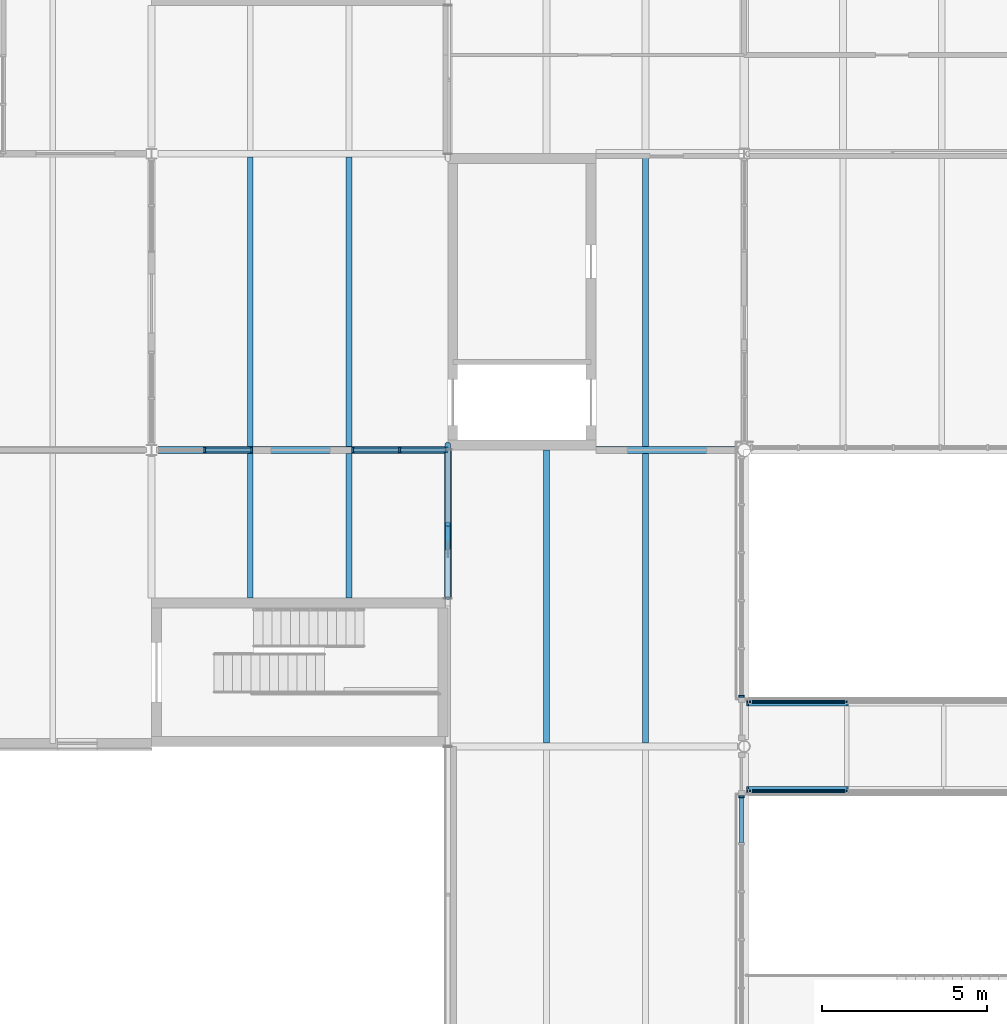
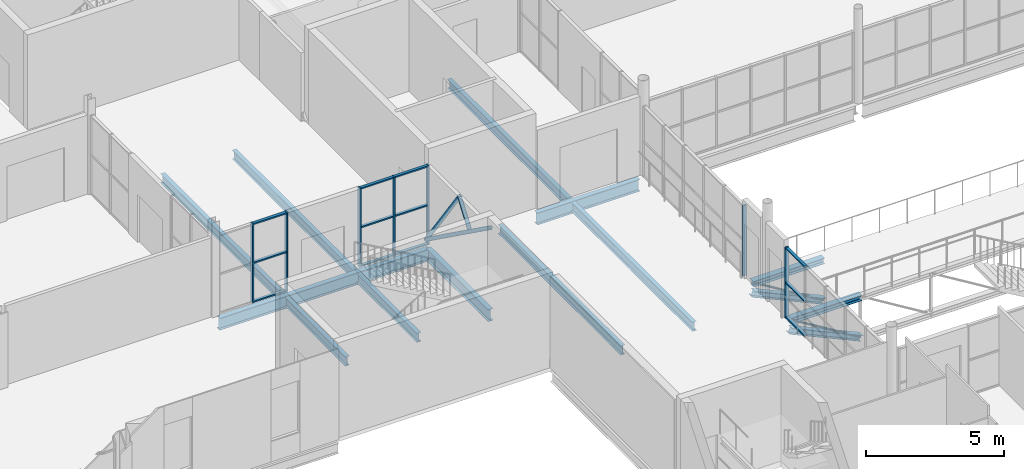
# One storey, part 20 of 61: 28 members, 10 beams, 4 elements without a shape of their own.
"""IFC4 building model written with IfcOpenShell, lengths in metres."""

from ifc_helpers import new_model, si_unit, direction, frame, origin, origin_2d, place, context, subcontext, project, spatial, rectangle, hollow_circle, i_section, extrude, material, layer, layer_set, material_profile, profile_set, type_object, element, aggregate, save


model = new_model("IFC4")

# Units and contexts
model_context = context("Model", 3, precision=1e-05, world=origin(), true_north=direction((0.0, 1.0)))
body_context = subcontext(model_context, "Body", "Model", "MODEL_VIEW")
ifc_project = project(units=[si_unit("LENGTHUNIT", "METRE"), si_unit("AREAUNIT", "SQUARE_METRE"), si_unit("VOLUMEUNIT", "CUBIC_METRE"), si_unit("PLANEANGLEUNIT", "RADIAN"), si_unit("MASSUNIT", "GRAM", prefix="KILO")], contexts=[model_context])

# Site, building, storey
site_placement = place(None, origin())
site = spatial("IfcSite", under=ifc_project, at=site_placement, CompositionType="ELEMENT")
building_placement = place(site_placement, origin())
building = spatial("IfcBuilding", under=site, at=building_placement, Name="Halyard Row Museum", CompositionType="ELEMENT")
storey_placement = place(building_placement, frame((0.0, 0.0, 9.199951171875)))
storey = spatial("IfcBuildingStorey", under=building, at=storey_placement, Name="L02", CompositionType="ELEMENT", Elevation=9.199951171875)

# Members
ifc_material_1 = material(Name="Steel Grade C350L0", Category="steel")
ifc_material_profile_1 = material_profile(ifc_material_1, hollow_circle(Radius=0.084228515625, WallThickness=0.007080078125, at=origin_2d()), Name="168.3x7.1CHS")
ifc_profile_set_1 = profile_set([ifc_material_profile_1], Name="Steel Grade C350L0")
member_type_1 = type_object("IfcMemberType", Name="Brace 168.3x7.1CHS", PredefinedType="BRACE", material=ifc_profile_set_1)
member_1_placement = place(storey_placement, frame((72.0, 27.169921875, 0.084228515625), z_axis=(0.0, -0.812141114165, 0.583461061839), x_axis=(1.0, 0.0, 0.0)))
element("IfcMember", 1, at=member_1_placement, inside=storey, type_object=member_type_1, Name="Brace L02 X72 18-27 B", PredefinedType="BRACE", context=body_context, shape_type="SweptSolid", body=[
    extrude(hollow_circle(Radius=0.084228515625, WallThickness=0.007080078125, at=origin_2d()), origin(), (0.0, 0.0, 1.0), 5.750244140625),
])
member_2_placement = place(storey_placement, frame((72.0, 24.02490234375, 2.447265625), z_axis=(0.0, 0.582722003298, 0.812671561501), x_axis=(-1.0, 0.0, 0.0)))
element("IfcMember", 2, at=member_2_placement, inside=storey, type_object=member_type_1, Name="Brace L02 X72 22.5-27 A upper", PredefinedType="BRACE", context=body_context, shape_type="SweptSolid", body=[
    extrude(hollow_circle(Radius=0.084228515625, WallThickness=0.007080078125, at=origin_2d()), origin(), (0.0, 0.0, 1.0), 1.244384765625),
])
member_3_placement = place(storey_placement, frame((72.0, 27.169921875, 0.084228515625), z_axis=(0.0, -0.582788882377, 0.812623602031), x_axis=(1.0, 0.0, 0.0)))
element("IfcMember", 3, at=member_3_placement, inside=storey, type_object=member_type_1, Name="Brace L02 X72 22.5-27 B", PredefinedType="BRACE", context=body_context, shape_type="SweptSolid", body=[
    extrude(hollow_circle(Radius=0.084228515625, WallThickness=0.007080078125, at=origin_2d()), origin(), (0.0, 0.0, 1.0), 4.15234375),
])

# Curtain wall, member
ifc_material_2 = material(Name="Fire-resisting laminated glazing", Category="glass")
ifc_layer = layer(ifc_material_2, 0.159912109375)
ifc_layer_set = layer_set([ifc_layer], Name="Fire-resisting laminated glazing")
curtain_wall_type = type_object("IfcCurtainWallType", Name="Curtain wall atrium screen 160 deep", PredefinedType="NOTDEFINED", material=ifc_layer_set)
curtain_wall_1_placement = place(storey_placement, origin())
curtain_wall_1 = element("IfcCurtainWall", 4, at=curtain_wall_1_placement, inside=storey, type_object=curtain_wall_type, Name="Curtain wall CW091", PredefinedType="NOTDEFINED")
ifc_material_3 = material(Name="Powder-coated aluminium section", Category="aluminium")
ifc_material_profile_2 = material_profile(ifc_material_3, rectangle(XDim=0.159912109375, YDim=0.06005859375, at=origin_2d()), Name="160x60 mullion")
ifc_profile_set_2 = profile_set([ifc_material_profile_2], Name="Powder-coated aluminium section")
member_type_2 = type_object("IfcMemberType", Name="Curtain wall mullion CM5 60 x 160", PredefinedType="MULLION", material=ifc_profile_set_2)
member_4_placement = place(storey_placement, frame((80.919921875, 19.530029296875, 0.0), z_axis=(0.0, 0.0, 1.0), x_axis=(1.0, 0.0, 0.0)))
member_4 = element("IfcMember", 5, at=member_4_placement, type_object=member_type_2, Name="CW091 mullion 6", PredefinedType="MULLION", context=body_context, shape_type="SweptSolid", body=[
    extrude(rectangle(XDim=0.159912109375, YDim=0.06005859375, at=origin_2d()), origin(), (0.0, 0.0, 1.0), 3.12451171875),
])
aggregate(curtain_wall_1, [member_4])

curtain_wall_2_placement = place(storey_placement, origin())
curtain_wall_2 = element("IfcCurtainWall", 6, at=curtain_wall_2_placement, inside=storey, type_object=curtain_wall_type, Name="Curtain wall CW092", PredefinedType="NOTDEFINED")
member_5_placement = place(storey_placement, frame((80.919921875, 16.469970703125, 0.0), z_axis=(0.0, 0.0, 1.0), x_axis=(1.0, 0.0, 0.0)))
member_5 = element("IfcMember", 7, at=member_5_placement, type_object=member_type_2, Name="CW092 mullion 1", PredefinedType="MULLION", context=body_context, shape_type="SweptSolid", body=[
    extrude(rectangle(XDim=0.159912109375, YDim=0.06005859375, at=origin_2d()), origin(), (0.0, 0.0, 1.0), 3.12451171875),
])

# Curtain wall, members
curtain_wall_3_placement = place(storey_placement, origin())
curtain_wall_3 = element("IfcCurtainWall", 8, at=curtain_wall_3_placement, inside=storey, type_object=curtain_wall_type, Name="Curtain wall CW162", PredefinedType="NOTDEFINED")
member_6_placement = place(storey_placement, frame((64.6142578125, 27.0, 0.0), z_axis=(0.0, 0.0, 1.0), x_axis=(0.0, 1.0, 0.0)))
member_6 = element("IfcMember", 9, at=member_6_placement, type_object=member_type_2, Name="CW162 mullion 2", PredefinedType="MULLION", context=body_context, shape_type="SweptSolid", body=[
    extrude(rectangle(XDim=0.159912109375, YDim=0.06005859375, at=origin_2d()), origin(), (0.0, 0.0, 1.0), 3.501953125),
])
member_7_placement = place(storey_placement, frame((66.046142578125, 27.0, 0.0), z_axis=(0.0, 0.0, 1.0), x_axis=(0.0, 1.0, 0.0)))
member_7 = element("IfcMember", 10, at=member_7_placement, type_object=member_type_2, Name="CW162 mullion 3", PredefinedType="MULLION", context=body_context, shape_type="SweptSolid", body=[
    extrude(rectangle(XDim=0.159912109375, YDim=0.06005859375, at=origin_2d()), origin(), (0.0, 0.0, 1.0), 3.501953125),
])

curtain_wall_4_placement = place(storey_placement, origin())
curtain_wall_4 = element("IfcCurtainWall", 11, at=curtain_wall_4_placement, inside=storey, type_object=curtain_wall_type, Name="Curtain wall CW163", PredefinedType="NOTDEFINED")
member_8_placement = place(storey_placement, frame((69.106201171875, 27.0, 0.0), z_axis=(0.0, 0.0, 1.0), x_axis=(0.0, 1.0, 0.0)))
member_8 = element("IfcMember", 12, at=member_8_placement, type_object=member_type_2, Name="CW163 mullion 1", PredefinedType="MULLION", context=body_context, shape_type="SweptSolid", body=[
    extrude(rectangle(XDim=0.159912109375, YDim=0.06005859375, at=origin_2d()), origin(), (0.0, 0.0, 1.0), 3.501953125),
])
member_9_placement = place(storey_placement, frame((70.5380859375, 27.0, 0.0), z_axis=(0.0, 0.0, 1.0), x_axis=(0.0, 1.0, 0.0)))
member_9 = element("IfcMember", 13, at=member_9_placement, type_object=member_type_2, Name="CW163 mullion 2", PredefinedType="MULLION", context=body_context, shape_type="SweptSolid", body=[
    extrude(rectangle(XDim=0.159912109375, YDim=0.06005859375, at=origin_2d()), origin(), (0.0, 0.0, 1.0), 3.501953125),
])
member_10_placement = place(storey_placement, frame((71.969970703125, 27.0, 0.0), z_axis=(0.0, 0.0, 1.0), x_axis=(0.0, 1.0, 0.0)))
member_10 = element("IfcMember", 14, at=member_10_placement, type_object=member_type_2, Name="CW163 mullion 3", PredefinedType="MULLION", context=body_context, shape_type="SweptSolid", body=[
    extrude(rectangle(XDim=0.159912109375, YDim=0.06005859375, at=origin_2d()), origin(), (0.0, 0.0, 1.0), 3.501953125),
])

# Member
ifc_material_4 = material(Name="Powder-coated aluminium section", Category="aluminium")
ifc_material_profile_3 = material_profile(ifc_material_4, rectangle(XDim=0.1201171875, YDim=0.06005859375, at=origin_2d()), Name="120x60 transom")
ifc_profile_set_3 = profile_set([ifc_material_profile_3], Name="Powder-coated aluminium section")
member_type_3 = type_object("IfcMemberType", Name="Curtain wall transom CT5 60 x 120", PredefinedType="USERDEFINED", material=ifc_profile_set_3)
member_11_placement = place(storey_placement, frame((80.919921875, 16.43994140625, 0.030029296875), z_axis=(0.0, -1.0, 0.0), x_axis=(1.0, 0.0, 0.0)))
member_11 = element("IfcMember", 15, at=member_11_placement, type_object=member_type_3, Name="CW092 transom 1.1", ObjectType="TRANSOM", PredefinedType="USERDEFINED", context=body_context, shape_type="SweptSolid", body=[
    extrude(rectangle(XDim=0.1201171875, YDim=0.06005859375, at=origin_2d()), origin(), (0.0, 0.0, 1.0), 1.369384765625),
])

member_12_placement = place(storey_placement, frame((80.919921875, 16.43994140625, 1.562255859375), z_axis=(0.0, -1.0, 0.0), x_axis=(1.0, 0.0, 0.0)))
member_12 = element("IfcMember", 16, at=member_12_placement, type_object=member_type_3, Name="CW092 transom 1.2", ObjectType="TRANSOM", PredefinedType="USERDEFINED", context=body_context, shape_type="SweptSolid", body=[
    extrude(rectangle(XDim=0.1201171875, YDim=0.06005859375, at=origin_2d()), origin(), (0.0, 0.0, 1.0), 1.369384765625),
])

member_13_placement = place(storey_placement, frame((80.919921875, 16.43994140625, 3.094482421875), z_axis=(0.0, -1.0, 0.0), x_axis=(1.0, 0.0, 0.0)))
member_13 = element("IfcMember", 17, at=member_13_placement, type_object=member_type_3, Name="CW092 transom 1.3", ObjectType="TRANSOM", PredefinedType="USERDEFINED", context=body_context, shape_type="SweptSolid", body=[
    extrude(rectangle(XDim=0.1201171875, YDim=0.06005859375, at=origin_2d()), origin(), (0.0, 0.0, 1.0), 1.369384765625),
])

aggregate(curtain_wall_2, [member_5, member_11, member_12, member_13])

member_14_placement = place(storey_placement, frame((64.644287109375, 27.0, 0.030029296875), z_axis=(1.0, 0.0, 0.0), x_axis=(0.0, 1.0, 0.0)))
member_14 = element("IfcMember", 18, at=member_14_placement, type_object=member_type_3, Name="CW162 transom 2.1", ObjectType="TRANSOM", PredefinedType="USERDEFINED", context=body_context, shape_type="SweptSolid", body=[
    extrude(rectangle(XDim=0.1201171875, YDim=0.06005859375, at=origin_2d()), origin(), (0.0, 0.0, 1.0), 1.3720703125),
])

member_15_placement = place(storey_placement, frame((64.644287109375, 27.0, 1.7509765625), z_axis=(1.0, 0.0, 0.0), x_axis=(0.0, 1.0, 0.0)))
member_15 = element("IfcMember", 19, at=member_15_placement, type_object=member_type_3, Name="CW162 transom 2.2", ObjectType="TRANSOM", PredefinedType="USERDEFINED", context=body_context, shape_type="SweptSolid", body=[
    extrude(rectangle(XDim=0.1201171875, YDim=0.06005859375, at=origin_2d()), origin(), (0.0, 0.0, 1.0), 1.3720703125),
])

member_16_placement = place(storey_placement, frame((64.644287109375, 27.0, 3.47216796875), z_axis=(1.0, 0.0, 0.0), x_axis=(0.0, 1.0, 0.0)))
member_16 = element("IfcMember", 20, at=member_16_placement, type_object=member_type_3, Name="CW162 transom 2.3", ObjectType="TRANSOM", PredefinedType="USERDEFINED", context=body_context, shape_type="SweptSolid", body=[
    extrude(rectangle(XDim=0.1201171875, YDim=0.06005859375, at=origin_2d()), origin(), (0.0, 0.0, 1.0), 1.3720703125),
])

aggregate(curtain_wall_3, [member_6, member_7, member_14, member_15, member_16])

member_17_placement = place(storey_placement, frame((69.13623046875, 27.0, 0.030029296875), z_axis=(1.0, 0.0, 0.0), x_axis=(0.0, 1.0, 0.0)))
member_17 = element("IfcMember", 21, at=member_17_placement, type_object=member_type_3, Name="CW163 transom 1.1", ObjectType="TRANSOM", PredefinedType="USERDEFINED", context=body_context, shape_type="SweptSolid", body=[
    extrude(rectangle(XDim=0.1201171875, YDim=0.06005859375, at=origin_2d()), origin(), (0.0, 0.0, 1.0), 1.371826171875),
])

member_18_placement = place(storey_placement, frame((69.13623046875, 27.0, 1.7509765625), z_axis=(1.0, 0.0, 0.0), x_axis=(0.0, 1.0, 0.0)))
member_18 = element("IfcMember", 22, at=member_18_placement, type_object=member_type_3, Name="CW163 transom 1.2", ObjectType="TRANSOM", PredefinedType="USERDEFINED", context=body_context, shape_type="SweptSolid", body=[
    extrude(rectangle(XDim=0.1201171875, YDim=0.06005859375, at=origin_2d()), origin(), (0.0, 0.0, 1.0), 1.371826171875),
])

member_19_placement = place(storey_placement, frame((69.13623046875, 27.0, 3.47216796875), z_axis=(1.0, 0.0, 0.0), x_axis=(0.0, 1.0, 0.0)))
member_19 = element("IfcMember", 23, at=member_19_placement, type_object=member_type_3, Name="CW163 transom 1.3", ObjectType="TRANSOM", PredefinedType="USERDEFINED", context=body_context, shape_type="SweptSolid", body=[
    extrude(rectangle(XDim=0.1201171875, YDim=0.06005859375, at=origin_2d()), origin(), (0.0, 0.0, 1.0), 1.371826171875),
])

member_20_placement = place(storey_placement, frame((70.568115234375, 27.0, 0.030029296875), z_axis=(1.0, 0.0, 0.0), x_axis=(0.0, 1.0, 0.0)))
member_20 = element("IfcMember", 24, at=member_20_placement, type_object=member_type_3, Name="CW163 transom 2.1", ObjectType="TRANSOM", PredefinedType="USERDEFINED", context=body_context, shape_type="SweptSolid", body=[
    extrude(rectangle(XDim=0.1201171875, YDim=0.06005859375, at=origin_2d()), origin(), (0.0, 0.0, 1.0), 1.371826171875),
])

member_21_placement = place(storey_placement, frame((70.568115234375, 27.0, 1.7509765625), z_axis=(1.0, 0.0, 0.0), x_axis=(0.0, 1.0, 0.0)))
member_21 = element("IfcMember", 25, at=member_21_placement, type_object=member_type_3, Name="CW163 transom 2.2", ObjectType="TRANSOM", PredefinedType="USERDEFINED", context=body_context, shape_type="SweptSolid", body=[
    extrude(rectangle(XDim=0.1201171875, YDim=0.06005859375, at=origin_2d()), origin(), (0.0, 0.0, 1.0), 1.371826171875),
])

member_22_placement = place(storey_placement, frame((70.568115234375, 27.0, 3.47216796875), z_axis=(1.0, 0.0, 0.0), x_axis=(0.0, 1.0, 0.0)))
member_22 = element("IfcMember", 26, at=member_22_placement, type_object=member_type_3, Name="CW163 transom 2.3", ObjectType="TRANSOM", PredefinedType="USERDEFINED", context=body_context, shape_type="SweptSolid", body=[
    extrude(rectangle(XDim=0.1201171875, YDim=0.06005859375, at=origin_2d()), origin(), (0.0, 0.0, 1.0), 1.371826171875),
])

aggregate(curtain_wall_4, [member_8, member_9, member_10, member_17, member_18, member_19, member_20, member_21, member_22])

# Beams
ifc_material_5 = material(Name="Steel Grade 300", Category="steel")
ifc_material_profile_4 = material_profile(ifc_material_5, i_section(OverallWidth=0.208984375, OverallDepth=0.532958984375, WebThickness=0.01025390625, FlangeThickness=0.015625, FilletRadius=0.013916015625, at=origin_2d()), Name="530UB92.4")
ifc_profile_set_4 = profile_set([ifc_material_profile_4], Name="Steel Grade 300")
beam_type_1 = type_object("IfcBeamType", Name="Girder beam 530UB92.4", PredefinedType="BEAM", material=ifc_profile_set_4)
beam_1_placement = place(storey_placement, frame((63.199951171875, 27.0, -0.431396484375), z_axis=(1.0, 0.0, 0.0), x_axis=(0.0, 1.0, 0.0)))
element("IfcBeam", 27, at=beam_1_placement, inside=storey, type_object=beam_type_1, Name="Beam L02-021", PredefinedType="BEAM", context=body_context, shape_type="SweptSolid", body=[
    extrude(i_section(OverallWidth=0.208984375, OverallDepth=0.532958984375, WebThickness=0.01025390625, FlangeThickness=0.015625, FilletRadius=0.013916015625, at=origin_2d()), origin(), (0.0, 0.0, 1.0), 8.800048828125),
])
beam_2_placement = place(storey_placement, frame((76.5, 27.0, -0.431396484375), z_axis=(1.0, 0.0, 0.0), x_axis=(0.0, 1.0, 0.0)))
element("IfcBeam", 28, at=beam_2_placement, inside=storey, type_object=beam_type_1, Name="Beam L02-022", PredefinedType="BEAM", context=body_context, shape_type="SweptSolid", body=[
    extrude(i_section(OverallWidth=0.208984375, OverallDepth=0.532958984375, WebThickness=0.01025390625, FlangeThickness=0.015625, FilletRadius=0.013916015625, at=origin_2d()), origin(), (0.0, 0.0, 1.0), 4.296875),
])
beam_3_placement = place(storey_placement, frame((72.0, 22.5, -0.431396484375), z_axis=(0.0, 1.0, 0.0), x_axis=(-1.0, 0.0, 0.0)))
element("IfcBeam", 29, at=beam_3_placement, inside=storey, type_object=beam_type_1, Name="Beam L02-065", PredefinedType="BEAM", context=body_context, shape_type="SweptSolid", body=[
    extrude(i_section(OverallWidth=0.208984375, OverallDepth=0.532958984375, WebThickness=0.01025390625, FlangeThickness=0.015625, FilletRadius=0.013916015625, at=origin_2d()), origin(), (0.0, 0.0, 1.0), 4.5),
])
ifc_material_6 = material(Name="Steel Grade 300", Category="steel")
ifc_material_profile_5 = material_profile(ifc_material_6, i_section(OverallWidth=0.177978515625, OverallDepth=0.406494140625, WebThickness=0.0078125, FlangeThickness=0.0126953125, FilletRadius=0.011474609375, at=origin_2d()), Name="410UB59.7")
ifc_profile_set_5 = profile_set([ifc_material_profile_5], Name="Steel Grade 300")
beam_type_2 = type_object("IfcBeamType", Name="Secondary beam 410UB59.7", PredefinedType="BEAM", material=ifc_profile_set_5)
beam_4_placement = place(storey_placement, frame((75.0, 18.1044921875, -0.3681640625), z_axis=(0.0, 1.0, 0.0), x_axis=(-1.0, 0.0, 0.0)))
element("IfcBeam", 30, at=beam_4_placement, inside=storey, type_object=beam_type_2, Name="Beam L02-109", PredefinedType="BEAM", context=body_context, shape_type="SweptSolid", body=[
    extrude(i_section(OverallWidth=0.177978515625, OverallDepth=0.406494140625, WebThickness=0.0078125, FlangeThickness=0.0126953125, FilletRadius=0.011474609375, at=origin_2d()), origin(), (0.0, 0.0, 1.0), 8.8955078125),
])
beam_5_placement = place(storey_placement, frame((78.0, 18.1044921875, -0.3681640625), z_axis=(0.0, 1.0, 0.0), x_axis=(-1.0, 0.0, 0.0)))
element("IfcBeam", 31, at=beam_5_placement, inside=storey, type_object=beam_type_2, Name="Beam L02-110", PredefinedType="BEAM", context=body_context, shape_type="SweptSolid", body=[
    extrude(i_section(OverallWidth=0.177978515625, OverallDepth=0.406494140625, WebThickness=0.0078125, FlangeThickness=0.0126953125, FilletRadius=0.011474609375, at=origin_2d()), origin(), (0.0, 0.0, 1.0), 8.791015625),
])
for number, where, z_axis, x_axis, name in (
    (32, (66.0, 22.5, -0.3681640625), (0.0, 1.0, 0.0), (-1.0, 0.0, 0.0), "Beam L02-115"),
    (33, (69.0, 22.5, -0.3681640625), (0.0, 1.0, 0.0), (-1.0, 0.0, 0.0), "Beam L02-116"),
):
    element("IfcBeam", number, at=place(storey_placement, frame(where, z_axis=z_axis, x_axis=x_axis)), inside=storey, type_object=beam_type_2, Name=name, PredefinedType="BEAM", context=body_context, shape_type="SweptSolid", body=[
        extrude(i_section(OverallWidth=0.177978515625, OverallDepth=0.406494140625, WebThickness=0.0078125, FlangeThickness=0.0126953125, FilletRadius=0.011474609375, at=origin_2d()), origin(), (0.0, 0.0, 1.0), 4.3955078125),
    ])
for number, where, z_axis, x_axis, name in (
    (34, (66.0, 27.1044921875, -0.3681640625), (0.0, 1.0, 0.0), (-1.0, 0.0, 0.0), "Beam L02-125"),
    (35, (69.0, 27.1044921875, -0.3681640625), (0.0, 1.0, 0.0), (-1.0, 0.0, 0.0), "Beam L02-126"),
):
    element("IfcBeam", number, at=place(storey_placement, frame(where, z_axis=z_axis, x_axis=x_axis)), inside=storey, type_object=beam_type_2, Name=name, PredefinedType="BEAM", context=body_context, shape_type="SweptSolid", body=[
        extrude(i_section(OverallWidth=0.177978515625, OverallDepth=0.406494140625, WebThickness=0.0078125, FlangeThickness=0.0126953125, FilletRadius=0.011474609375, at=origin_2d()), origin(), (0.0, 0.0, 1.0), 8.791015625),
    ])
beam_6_placement = place(storey_placement, frame((78.0, 27.1044921875, -0.3681640625), z_axis=(0.0, 1.0, 0.0), x_axis=(-1.0, 0.0, 0.0)))
element("IfcBeam", 36, at=beam_6_placement, inside=storey, type_object=beam_type_2, Name="Beam L02-127", PredefinedType="BEAM", context=body_context, shape_type="SweptSolid", body=[
    extrude(i_section(OverallWidth=0.177978515625, OverallDepth=0.406494140625, WebThickness=0.0078125, FlangeThickness=0.0126953125, FilletRadius=0.011474609375, at=origin_2d()), origin(), (0.0, 0.0, 1.0), 8.7705078125),
])

# Members
ifc_material_7 = material(Name="Steel Grade 300", Category="steel")
ifc_material_profile_6 = material_profile(ifc_material_7, i_section(OverallWidth=0.25390625, OverallDepth=0.25390625, WebThickness=0.008544921875, FlangeThickness=0.01416015625, FilletRadius=0.013916015625, at=origin_2d()), Name="250UC72.9")
ifc_profile_set_6 = profile_set([ifc_material_profile_6], Name="Steel Grade 300")
member_type_4 = type_object("IfcMemberType", Name="Truss chord 250UC72.9 bottom", PredefinedType="CHORD", material=ifc_profile_set_6)
for number, where, z_axis, x_axis, name in (
    (37, (81.125, 16.64990234375, -0.72802734375), (0.909918381768, 0.0, -0.414787341322), (0.0, 1.0, 0.0), "BT1S bottom chord 1"),
    (38, (81.125, 19.35009765625, -0.72802734375), (0.909918381768, 0.0, -0.414787341322), (0.0, 1.0, 0.0), "BT1N bottom chord 1"),
):
    element("IfcMember", number, at=place(storey_placement, frame(where, z_axis=z_axis, x_axis=x_axis)), inside=storey, type_object=member_type_4, Name=name, PredefinedType="CHORD", context=body_context, shape_type="SweptSolid", body=[
        extrude(i_section(OverallWidth=0.25390625, OverallDepth=0.25390625, WebThickness=0.008544921875, FlangeThickness=0.01416015625, FilletRadius=0.013916015625, at=origin_2d()), origin(), (0.0, 0.0, 1.0), 3.287841796875),
    ])
ifc_material_8 = material(Name="Steel Grade 300", Category="steel")
ifc_material_profile_7 = material_profile(ifc_material_8, i_section(OverallWidth=0.25390625, OverallDepth=0.25390625, WebThickness=0.008544921875, FlangeThickness=0.01416015625, FilletRadius=0.013916015625, at=origin_2d()), Name="250UC72.9")
ifc_profile_set_7 = profile_set([ifc_material_profile_7], Name="Steel Grade 300")
member_type_5 = type_object("IfcMemberType", Name="Truss chord 250UC72.9 top", PredefinedType="CHORD", material=ifc_profile_set_7)
for number, where, z_axis, x_axis, name in (
    (39, (81.125, 16.64990234375, -0.291748046875), (1.0, 0.0, 0.0), (0.0, 1.0, 0.0), "BT1S top chord 1"),
    (40, (81.125, 19.35009765625, -0.291748046875), (1.0, 0.0, 0.0), (0.0, 1.0, 0.0), "BT1N top chord 1"),
):
    element("IfcMember", number, at=place(storey_placement, frame(where, z_axis=z_axis, x_axis=x_axis)), inside=storey, type_object=member_type_5, Name=name, PredefinedType="CHORD", context=body_context, shape_type="SweptSolid", body=[
        extrude(i_section(OverallWidth=0.25390625, OverallDepth=0.25390625, WebThickness=0.008544921875, FlangeThickness=0.01416015625, FilletRadius=0.013916015625, at=origin_2d()), origin(), (0.0, 0.0, 1.0), 2.99169921875),
    ])
ifc_material_9 = material(Name="Steel Grade C250L0", Category="steel")
ifc_material_profile_8 = material_profile(ifc_material_9, hollow_circle(Radius=0.04443359375, WallThickness=0.0048828125, at=origin_2d()), Name="88.9x5.0CHS")
ifc_profile_set_8 = profile_set([ifc_material_profile_8], Name="Steel Grade C250L0")
member_type_6 = type_object("IfcMemberType", Name="Truss diagonal 88.9x5.0CHS", PredefinedType="BRACE", material=ifc_profile_set_8)
for number, where, z_axis, x_axis, name in (
    (41, (81.175048828125, 16.64990234375, -0.291748046875), (0.852975450501, 0.0, -0.521951032994), (0.0, 1.0, 0.0), "BT1S diagonal 1"),
    (42, (81.175048828125, 19.35009765625, -0.291748046875), (0.852975450501, 0.0, -0.521951032994), (0.0, 1.0, 0.0), "BT1N diagonal 1"),
):
    element("IfcMember", number, at=place(storey_placement, frame(where, z_axis=z_axis, x_axis=x_axis)), inside=storey, type_object=member_type_6, Name=name, PredefinedType="BRACE", context=body_context, shape_type="SweptSolid", body=[
        extrude(hollow_circle(Radius=0.04443359375, WallThickness=0.0048828125, at=origin_2d()), origin(), (0.0, 0.0, 1.0), 3.44873046875),
    ])

save(model, "model.ifc")
